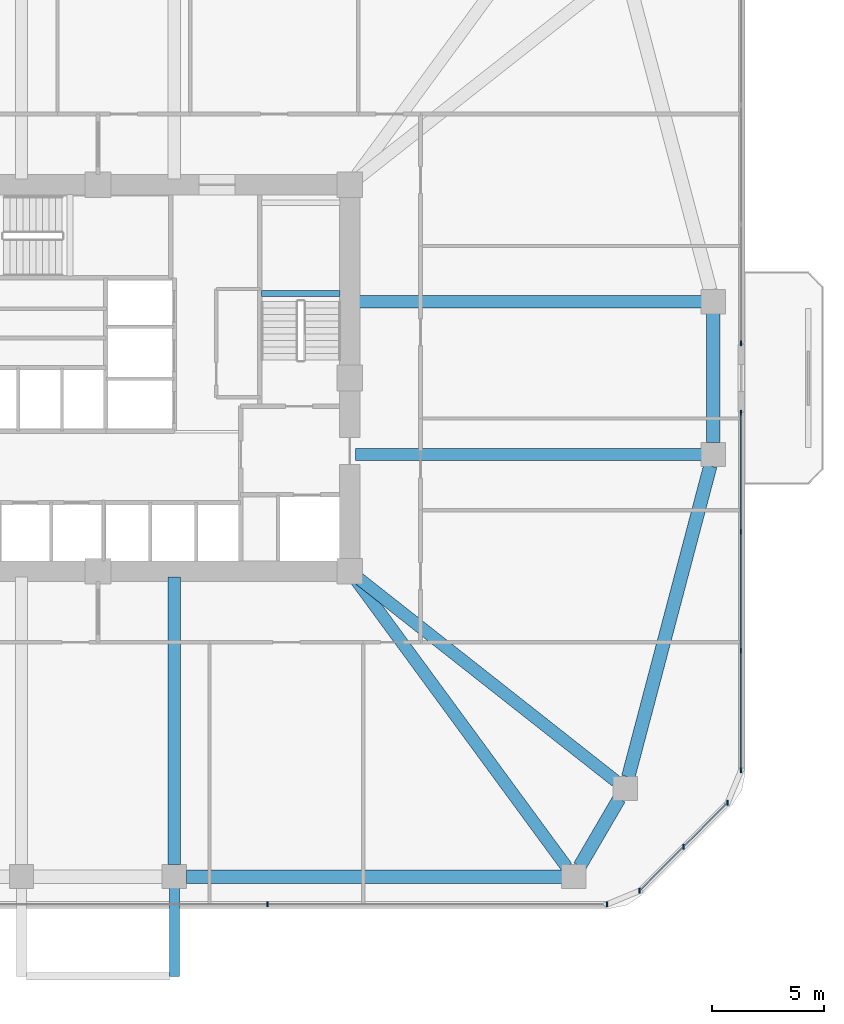
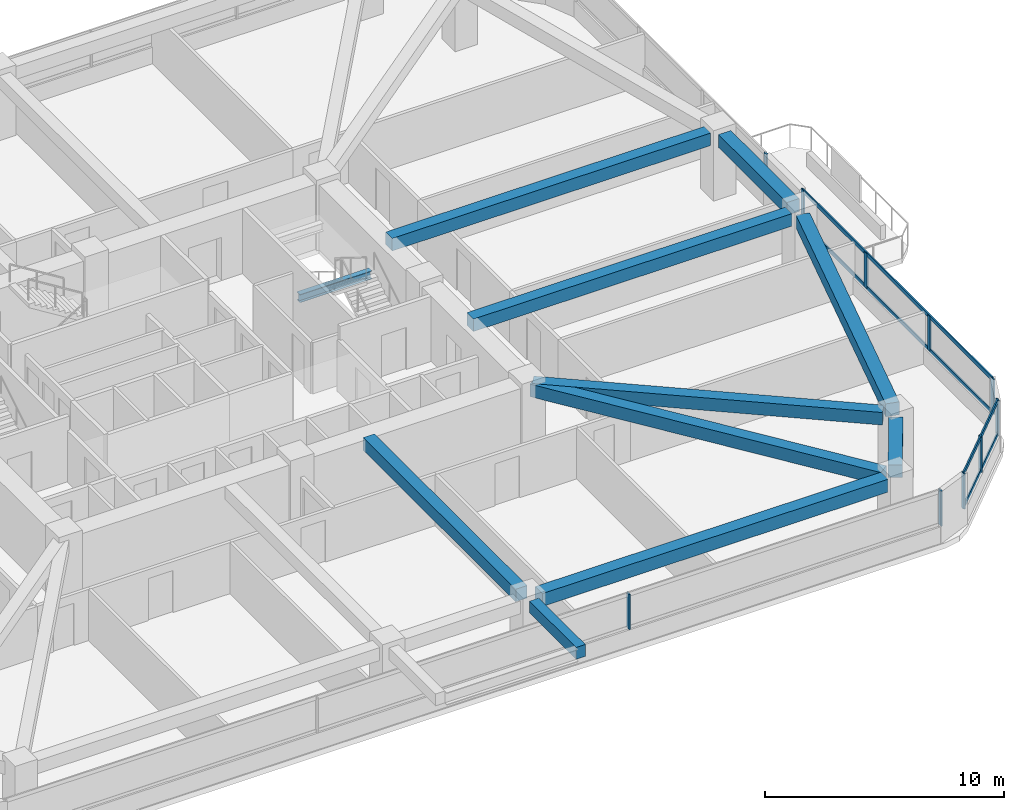
# One storey, part 5 of 14: 14 members, 11 beams, 4 elements without a shape of their own.
"""IFC4 building model written with IfcOpenShell, lengths in metres."""

import ifcopenshell
import ifcopenshell.guid

model = None  # the IFC model being written
_history = None  # IfcOwnerHistory: only IFC2X3 demands one
_inside = {}  # id of a spatial element -> (the spatial element, [elements in it])
_under = {}  # id of a project, library or spatial element -> (it, [spatial elements below it])
_declared = {}  # id of a project -> (the project, [libraries it declares])
_typed = {}  # id of a type object -> (the type object, [elements of that type])
_made_of = {}  # id of a material, layer set ... -> (it, [elements and type objects made of it])


def new_model(schema):
    """Start an empty IFC model of exactly this schema.

    Asked for "IFC4X3", IfcOpenShell would pick the latest addendum, in which some entities
    have other attributes; the version numbers below select the first issue.
    IFC2X3 requires an IfcOwnerHistory on every rooted entity: one is made here for all.
    """
    global model, _history
    if schema == "IFC4X3":
        model = ifcopenshell.file(schema_version=(4, 3, 0, 0))
    else:
        model = ifcopenshell.file(schema=schema)
    _inside.clear()
    _under.clear()
    _declared.clear()
    _typed.clear()
    _made_of.clear()
    _history = None
    if model.schema == "IFC2X3":
        org = make("IfcOrganization", Name="unknown")
        user = make(
            "IfcPersonAndOrganization",
            ThePerson=make("IfcPerson", FamilyName="unknown"),
            TheOrganization=org,
        )
        app = make(
            "IfcApplication",
            ApplicationDeveloper=org,
            Version="unknown",
            ApplicationFullName="unknown",
            ApplicationIdentifier="unknown",
        )
        _history = make(
            "IfcOwnerHistory",
            OwningUser=user,
            OwningApplication=app,
            ChangeAction="ADDED",
            CreationDate=0,
        )
    return model


def make(cls, **values):
    """One entity of the class cls with the attributes given. An attribute that is None is left unset."""
    return model.create_entity(
        cls, **{name: value for name, value in values.items() if value is not None}
    )


def rooted(cls, **values):
    """An entity with a GlobalId (a new one), such as an element, a storey or a relation."""
    return make(cls, GlobalId=ifcopenshell.guid.new(), OwnerHistory=_history, **values)


def si_unit(unit_type, name, prefix=None):
    """IfcSIUnit, for example si_unit("LENGTHUNIT", "METRE", prefix="MILLI")."""
    return make("IfcSIUnit", UnitType=unit_type, Prefix=prefix, Name=name)


def derived_unit(unit_type, elements):
    """IfcDerivedUnit: a product of units, each with its exponent."""
    return make(
        "IfcDerivedUnit",
        Elements=[
            make("IfcDerivedUnitElement", Unit=unit, Exponent=power)
            for unit, power in elements
        ],
        UnitType=unit_type,
    )


def assignment(units):
    """IfcUnitAssignment: the units of a project."""
    return None if units is None else make("IfcUnitAssignment", Units=units)


def point(xyz):
    """IfcCartesianPoint."""
    return None if xyz is None else make("IfcCartesianPoint", Coordinates=xyz)


def direction(xyz):
    """IfcDirection."""
    return None if xyz is None else make("IfcDirection", DirectionRatios=xyz)


def frame(location, z_axis=None, x_axis=None):
    """IfcAxis2Placement3D, a coordinate frame: its origin and axes. An axis left out is left unset."""
    return make(
        "IfcAxis2Placement3D",
        Location=point(location),
        Axis=direction(z_axis),
        RefDirection=direction(x_axis),
    )


def frame_2d(location, x_axis=None):
    """IfcAxis2Placement2D, a coordinate frame in the plane: its origin and x axis."""
    return make(
        "IfcAxis2Placement2D", Location=point(location), RefDirection=direction(x_axis)
    )


def origin():
    """The frame at (0, 0, 0) with its axes left unset."""
    return frame((0.0, 0.0, 0.0))


def origin_2d():
    """The frame at (0, 0) in the plane with its x axis left unset."""
    return frame_2d((0.0, 0.0))


def place(relative_to, where):
    """IfcLocalPlacement: puts the frame where relative to a parent placement (None: the world)."""
    return make(
        "IfcLocalPlacement", PlacementRelTo=relative_to, RelativePlacement=where
    )


def context(
    kind, dimensions, precision=None, world=None, true_north=None, identifier=None
):
    """IfcGeometricRepresentationContext, for example the 3D "Model" context."""
    return make(
        "IfcGeometricRepresentationContext",
        ContextIdentifier=identifier,
        ContextType=kind,
        CoordinateSpaceDimension=dimensions,
        Precision=precision,
        WorldCoordinateSystem=world,
        TrueNorth=true_north,
    )


def subcontext(parent, identifier, kind, view, scale=None):
    """IfcGeometricRepresentationSubContext, for example "Body" below "Model"."""
    return make(
        "IfcGeometricRepresentationSubContext",
        ContextIdentifier=identifier,
        ContextType=kind,
        ParentContext=parent,
        TargetScale=scale,
        TargetView=view,
    )


def project(units=None, contexts=None):
    """IfcProject with its units and contexts."""
    return rooted(
        "IfcProject",
        Name="project",
        RepresentationContexts=contexts,
        UnitsInContext=assignment(units),
    )


def spatial(cls, under=None, at=None, **own):
    """A site, building, storey or space (cls), placed at a placement, below another one or the project."""
    s = rooted(cls, ObjectPlacement=at, **own)
    if under is not None:
        _under.setdefault(under.id(), (under, []))[1].append(s)
    return s


def profile(cls, at=None, kind="AREA", **sizes):
    """A parametric profile (cls). Its sizes go by their IFC names, for example OverallWidth=200.0."""
    return make(cls, ProfileType=kind, Position=at, **sizes)


def rectangle(**sizes):
    """IfcRectangleProfileDef."""
    return profile("IfcRectangleProfileDef", **sizes)


def i_section(**sizes):
    """IfcIShapeProfileDef."""
    return profile("IfcIShapeProfileDef", **sizes)


def extrude(swept, where, along, depth):
    """IfcExtrudedAreaSolid: the profile swept, set in the frame where, extruded along a direction by depth."""
    return make(
        "IfcExtrudedAreaSolid",
        SweptArea=swept,
        Position=where,
        ExtrudedDirection=direction(along),
        Depth=depth,
    )


def shape(context_of_items, identifier, shape_type, items):
    """IfcShapeRepresentation: the items that make up one representation, for example the "Body"."""
    return make(
        "IfcShapeRepresentation",
        ContextOfItems=context_of_items,
        RepresentationIdentifier=identifier,
        RepresentationType=shape_type,
        Items=items,
    )


def material(Name=None, Category=None):
    """IfcMaterial."""
    return make("IfcMaterial", Name=Name, Category=Category)


def material_profile(
    of_material, cross_section, Name=None, Category=None, Priority=None
):
    """IfcMaterialProfile: a cross section and its material."""
    return make(
        "IfcMaterialProfile",
        Name=Name,
        Material=of_material,
        Profile=cross_section,
        Priority=Priority,
        Category=Category,
    )


def profile_set(profiles, Name=None, composite=None):
    """IfcMaterialProfileSet."""
    return make(
        "IfcMaterialProfileSet",
        Name=Name,
        MaterialProfiles=profiles,
        CompositeProfile=composite,
    )


def made_of(thing, what):
    """Note that an element or type object is made of a material, layer set ...; save() writes the relation."""
    if what is not None:
        _made_of.setdefault(what.id(), (what, []))[1].append(thing)
    return thing


def type_object(cls, material=None, **own):
    """A type object (cls), such as IfcWallType, which elements share."""
    return made_of(rooted(cls, **own), material)


def element(
    cls,
    number,
    at=None,
    inside=None,
    cuts=None,
    type_object=None,
    material=None,
    context=None,
    identifier="Body",
    shape_type=None,
    held_by="IfcProductDefinitionShape",
    body=None,
    shapes=None,
    **own,
):
    """One element of the class cls, such as IfcWall. Its Tag is "e" and its number.

    at: its placement. inside: the storey or other place that contains it. cuts: it is an
    opening in that element (IfcRelVoidsElement). A single representation is given by context,
    identifier, shape_type and body (its items); several are given by shapes. held_by: the class
    of the entity that holds the representations. save() writes the other relations.
    """
    e = rooted(cls, Tag="e%d" % number, ObjectPlacement=at, **own)
    if body is not None:
        shapes = [shape(context, identifier, shape_type, body)]
    if shapes is not None:
        e.Representation = make(held_by, Representations=shapes)
    if inside is not None:
        _inside.setdefault(inside.id(), (inside, []))[1].append(e)
    if cuts is not None:
        rooted(
            "IfcRelVoidsElement", RelatingBuildingElement=cuts, RelatedOpeningElement=e
        )
    if type_object is not None:
        _typed.setdefault(type_object.id(), (type_object, []))[1].append(e)
    return made_of(e, material)


def aggregate(whole, parts):
    """IfcRelAggregates: a whole, such as a stair, and the parts it consists of."""
    return rooted("IfcRelAggregates", RelatingObject=whole, RelatedObjects=parts)


def save(model, path):
    """Write the relations noted so far, then the file.

    IfcRelAggregates (storeys below a building ...), IfcRelContainedInSpatialStructure (elements
    in a storey), IfcRelDefinesByType, IfcRelAssociatesMaterial and IfcRelDeclares: one each for
    every whole, place, type object, material and project.
    """
    for whole, parts in _under.values():
        aggregate(whole, parts)
    for where, things in _inside.values():
        rooted(
            "IfcRelContainedInSpatialStructure",
            RelatedElements=things,
            RelatingStructure=where,
        )
    for kind, things in _typed.values():
        rooted("IfcRelDefinesByType", RelatedObjects=things, RelatingType=kind)
    for what, things in _made_of.values():
        rooted("IfcRelAssociatesMaterial", RelatedObjects=things, RelatingMaterial=what)
    for by, libraries in _declared.values():
        rooted("IfcRelDeclares", RelatingContext=by, RelatedDefinitions=libraries)
    model.write(path)


model = new_model("IFC4")

# Units and contexts
model_context = context("Model", 3, precision=1e-05, world=origin(), true_north=direction((0.0, 1.0)))
body_context = subcontext(model_context, "Body", "Model", "MODEL_VIEW")
ifc_project = project(units=[si_unit("LENGTHUNIT", "METRE"), si_unit("AREAUNIT", "SQUARE_METRE"), si_unit("VOLUMEUNIT", "CUBIC_METRE"), si_unit("PLANEANGLEUNIT", "RADIAN"), si_unit("MASSUNIT", "GRAM", prefix="KILO"), derived_unit("THERMALTRANSMITTANCEUNIT", [(si_unit("POWERUNIT", "WATT"), 1), (si_unit("LENGTHUNIT", "METRE"), -2), (si_unit("THERMODYNAMICTEMPERATUREUNIT", "KELVIN"), -1)])], contexts=[model_context])

# Site, building, storey
site_placement = place(None, origin())
site = spatial("IfcSite", under=ifc_project, at=site_placement, CompositionType="ELEMENT")
building_placement = place(site_placement, origin())
building = spatial("IfcBuilding", under=site, at=building_placement, Name="Koralith Skygarden Medical Center", CompositionType="ELEMENT")
storey_placement = place(building_placement, frame((0.0, 0.0, 45.5400390625)))
storey = spatial("IfcBuildingStorey", under=building, at=storey_placement, Name="L11", CompositionType="ELEMENT", Elevation=45.5400390625)

# Curtain wall, members
ifc_material_1 = material(Name="Clear Laminated Glass", Category="glass")
curtain_wall_type = type_object("IfcCurtainWallType", Name="CW-2 Zone 1 Hurricane Unitised Curtain Wall", PredefinedType="NOTDEFINED", material=ifc_material_1)
curtain_wall_1_placement = place(storey_placement, origin())
curtain_wall_1 = element("IfcCurtainWall", 1, at=curtain_wall_1_placement, inside=storey, type_object=curtain_wall_type, Name="Curtain Wall CW-L11-S", PredefinedType="NOTDEFINED")
ifc_material_2 = material(Name="Aluminium 6063-T6", Category="aluminium")
ifc_material_profile_1 = material_profile(ifc_material_2, rectangle(XDim=0.071044921875, YDim=0.219970703125, at=origin_2d()), Name="MUL71X220")
ifc_profile_set_1 = profile_set([ifc_material_profile_1], Name="Aluminium 6063-T6")
member_type_1 = type_object("IfcMemberType", Name="CW-2 Extruded Mullion 71x220", PredefinedType="MULLION", material=ifc_profile_set_1)
member_1_placement = place(storey_placement, frame((44.548095703125, 2.47998046875, 0.849853515625), z_axis=(0.0, 0.0, 1.0), x_axis=(1.0, 0.0, 0.0)))
member_1 = element("IfcMember", 2, at=member_1_placement, type_object=member_type_1, Name="CW-L11-S Mullion 3", PredefinedType="MULLION", context=body_context, shape_type="SweptSolid", body=[
    extrude(rectangle(XDim=0.071044921875, YDim=0.219970703125, at=origin_2d()), origin(), (0.0, 0.0, 1.0), 1.800048828125),
])
member_2_placement = place(storey_placement, frame((59.64501953125, 2.47998046875, 0.849853515625), z_axis=(0.0, 0.0, 1.0), x_axis=(1.0, 0.0, 0.0)))
member_2 = element("IfcMember", 3, at=member_2_placement, type_object=member_type_1, Name="CW-L11-S Mullion 4", PredefinedType="MULLION", context=body_context, shape_type="SweptSolid", body=[
    extrude(rectangle(XDim=0.071044921875, YDim=0.219970703125, at=origin_2d()), origin(), (0.0, 0.0, 1.0), 1.800048828125),
])
aggregate(curtain_wall_1, [member_1, member_2])

curtain_wall_2_placement = place(storey_placement, origin())
curtain_wall_2 = element("IfcCurtainWall", 4, at=curtain_wall_2_placement, inside=storey, type_object=curtain_wall_type, Name="Curtain Wall CW-L11-SE", PredefinedType="NOTDEFINED")
member_3_placement = place(storey_placement, frame((61.095947265625, 3.0810546875, 0.849853515625), z_axis=(0.0, 0.0, 1.0), x_axis=(1.0, 0.0, 0.0)))
member_3 = element("IfcMember", 5, at=member_3_placement, type_object=member_type_1, Name="CW-L11-SE Mullion 1", PredefinedType="MULLION", context=body_context, shape_type="SweptSolid", body=[
    extrude(rectangle(XDim=0.071044921875, YDim=0.219970703125, at=origin_2d()), origin(), (0.0, 0.0, 1.0), 1.800048828125),
])
member_4_placement = place(storey_placement, frame((63.056884765625, 5.0419921875, 0.849853515625), z_axis=(0.0, 0.0, 1.0), x_axis=(1.0, 0.0, 0.0)))
member_4 = element("IfcMember", 6, at=member_4_placement, type_object=member_type_1, Name="CW-L11-SE Mullion 2", PredefinedType="MULLION", context=body_context, shape_type="SweptSolid", body=[
    extrude(rectangle(XDim=0.071044921875, YDim=0.219970703125, at=origin_2d()), origin(), (0.0, 0.0, 1.0), 1.800048828125),
])
member_5_placement = place(storey_placement, frame((65.01904296875, 7.00390625, 0.849853515625), z_axis=(0.0, 0.0, 1.0), x_axis=(1.0, 0.0, 0.0)))
member_5 = element("IfcMember", 7, at=member_5_placement, type_object=member_type_1, Name="CW-L11-SE Mullion 3", PredefinedType="MULLION", context=body_context, shape_type="SweptSolid", body=[
    extrude(rectangle(XDim=0.071044921875, YDim=0.219970703125, at=origin_2d()), origin(), (0.0, 0.0, 1.0), 1.800048828125),
])

curtain_wall_3_placement = place(storey_placement, origin())
curtain_wall_3 = element("IfcCurtainWall", 8, at=curtain_wall_3_placement, inside=storey, type_object=curtain_wall_type, Name="Curtain Wall CW-L11-E-L", PredefinedType="NOTDEFINED")
member_6_placement = place(storey_placement, frame((65.6201171875, 8.455078125, 0.849853515625), z_axis=(0.0, 0.0, 1.0), x_axis=(1.0, 0.0, 0.0)))
member_6 = element("IfcMember", 9, at=member_6_placement, type_object=member_type_1, Name="CW-L11-E-L Mullion 1", PredefinedType="MULLION", context=body_context, shape_type="SweptSolid", body=[
    extrude(rectangle(XDim=0.071044921875, YDim=0.219970703125, at=origin_2d()), origin(), (0.0, 0.0, 1.0), 1.800048828125),
])
member_7_placement = place(storey_placement, frame((65.6201171875, 13.757080078125, 0.849853515625), z_axis=(0.0, 0.0, 1.0), x_axis=(1.0, 0.0, 0.0)))
member_7 = element("IfcMember", 10, at=member_7_placement, type_object=member_type_1, Name="CW-L11-E-L Mullion 2", PredefinedType="MULLION", context=body_context, shape_type="SweptSolid", body=[
    extrude(rectangle(XDim=0.071044921875, YDim=0.219970703125, at=origin_2d()), origin(), (0.0, 0.0, 1.0), 1.800048828125),
])
member_8_placement = place(storey_placement, frame((65.6201171875, 19.05810546875, 0.849853515625), z_axis=(0.0, 0.0, 1.0), x_axis=(1.0, 0.0, 0.0)))
member_8 = element("IfcMember", 11, at=member_8_placement, type_object=member_type_1, Name="CW-L11-E-L Mullion 3", PredefinedType="MULLION", context=body_context, shape_type="SweptSolid", body=[
    extrude(rectangle(XDim=0.071044921875, YDim=0.219970703125, at=origin_2d()), origin(), (0.0, 0.0, 1.0), 1.800048828125),
])
member_9_placement = place(storey_placement, frame((65.6201171875, 24.360107421875, 0.849853515625), z_axis=(0.0, 0.0, 1.0), x_axis=(1.0, 0.0, 0.0)))
member_9 = element("IfcMember", 12, at=member_9_placement, type_object=member_type_1, Name="CW-L11-E-L Mullion 4", PredefinedType="MULLION", context=body_context, shape_type="SweptSolid", body=[
    extrude(rectangle(XDim=0.071044921875, YDim=0.219970703125, at=origin_2d()), origin(), (0.0, 0.0, 1.0), 1.800048828125),
])

# Curtain wall, member
curtain_wall_4_placement = place(storey_placement, origin())
curtain_wall_4 = element("IfcCurtainWall", 13, at=curtain_wall_4_placement, inside=storey, type_object=curtain_wall_type, Name="Curtain Wall CW-L11-E-R", PredefinedType="NOTDEFINED")
member_10_placement = place(storey_placement, frame((65.6201171875, 27.43994140625, 0.849853515625), z_axis=(0.0, 0.0, 1.0), x_axis=(1.0, 0.0, 0.0)))
member_10 = element("IfcMember", 14, at=member_10_placement, type_object=member_type_1, Name="CW-L11-E-R Mullion 1", PredefinedType="MULLION", context=body_context, shape_type="SweptSolid", body=[
    extrude(rectangle(XDim=0.071044921875, YDim=0.219970703125, at=origin_2d()), origin(), (0.0, 0.0, 1.0), 1.800048828125),
])
aggregate(curtain_wall_4, [member_10])

# Member
ifc_material_profile_2 = material_profile(ifc_material_2, rectangle(XDim=0.06591796875, YDim=0.197998046875, at=origin_2d()), Name="TRN66X198")
ifc_profile_set_2 = profile_set([ifc_material_profile_2], Name="Aluminium 6063-T6")
member_type_2 = type_object("IfcMemberType", Name="CW-2 Thermal Transom 66x198", PredefinedType="USERDEFINED", material=ifc_profile_set_2)
member_11_placement = place(storey_placement, frame((61.095947265625, 3.0810546875, 0.89990234375), z_axis=(0.707128783731, 0.707084777957, 0.0), x_axis=(-0.707084777957, 0.707128783731, 0.0)))
member_11 = element("IfcMember", 15, at=member_11_placement, type_object=member_type_2, Name="CW-L11-SE Transom 1", ObjectType="TRANSOM", PredefinedType="USERDEFINED", context=body_context, shape_type="SweptSolid", body=[
    extrude(rectangle(XDim=0.06591796875, YDim=0.197998046875, at=origin_2d()), origin(), (0.0, 0.0, 1.0), 5.5478515625),
])

member_12_placement = place(storey_placement, frame((61.095947265625, 3.0810546875, 2.599853515625), z_axis=(0.707128783731, 0.707084777957, 0.0), x_axis=(-0.707084777957, 0.707128783731, 0.0)))
member_12 = element("IfcMember", 16, at=member_12_placement, type_object=member_type_2, Name="CW-L11-SE Transom 2", ObjectType="TRANSOM", PredefinedType="USERDEFINED", context=body_context, shape_type="SweptSolid", body=[
    extrude(rectangle(XDim=0.06591796875, YDim=0.197998046875, at=origin_2d()), origin(), (0.0, 0.0, 1.0), 5.5478515625),
])

aggregate(curtain_wall_2, [member_3, member_4, member_5, member_11, member_12])

member_13_placement = place(storey_placement, frame((65.6201171875, 8.455078125, 0.89990234375), z_axis=(0.0, 1.0, 0.0), x_axis=(-1.0, 0.0, 0.0)))
member_13 = element("IfcMember", 17, at=member_13_placement, type_object=member_type_2, Name="CW-L11-E-L Transom 1", ObjectType="TRANSOM", PredefinedType="USERDEFINED", context=body_context, shape_type="SweptSolid", body=[
    extrude(rectangle(XDim=0.06591796875, YDim=0.197998046875, at=origin_2d()), origin(), (0.0, 0.0, 1.0), 15.905029296875),
])

member_14_placement = place(storey_placement, frame((65.6201171875, 8.455078125, 2.599853515625), z_axis=(0.0, 1.0, 0.0), x_axis=(-1.0, 0.0, 0.0)))
member_14 = element("IfcMember", 18, at=member_14_placement, type_object=member_type_2, Name="CW-L11-E-L Transom 2", ObjectType="TRANSOM", PredefinedType="USERDEFINED", context=body_context, shape_type="SweptSolid", body=[
    extrude(rectangle(XDim=0.06591796875, YDim=0.197998046875, at=origin_2d()), origin(), (0.0, 0.0, 1.0), 15.905029296875),
])

aggregate(curtain_wall_3, [member_6, member_7, member_8, member_9, member_13, member_14])

# Beams
ifc_material_3 = material(Name="Steel ASTM A992 Grade 50", Category="steel")
ifc_material_profile_3 = material_profile(ifc_material_3, i_section(OverallWidth=0.260009765625, OverallDepth=0.4150390625, WebThickness=0.010009765625, FlangeThickness=0.016845703125, at=origin_2d()), Name="W16X67")
ifc_profile_set_3 = profile_set([ifc_material_profile_3], Name="Steel ASTM A992 Grade 50")
beam_type_1 = type_object("IfcBeamType", Name="Clinical Floor Joist W16X67", PredefinedType="JOIST", material=ifc_profile_set_3)
beam_1_placement = place(storey_placement, frame((44.280029296875, 29.659912109375, 1.391845703125), z_axis=(1.0, 0.0, 0.0), x_axis=(0.0, 1.0, 0.0)))
element("IfcBeam", 19, at=beam_1_placement, inside=storey, type_object=beam_type_1, Name="L11 Stair ST2 Half-Landing Support Beam 1A", PredefinedType="JOIST", context=body_context, shape_type="SweptSolid", body=[
    extrude(i_section(OverallWidth=0.260009765625, OverallDepth=0.4150390625, WebThickness=0.010009765625, FlangeThickness=0.016845703125, at=origin_2d()), origin(), (0.0, 0.0, 1.0), 3.489990234375),
])
ifc_material_4 = material(Name="Concrete C45/55", Category="concrete")
ifc_material_profile_4 = material_profile(ifc_material_4, rectangle(XDim=0.449951171875, YDim=0.60009765625, at=origin_2d()), Name="RCB450X600")
ifc_profile_set_4 = profile_set([ifc_material_profile_4], Name="Concrete C45/55")
beam_type_2 = type_object("IfcBeamType", Name="Planted Balcony Cantilever Beam RCB450X600", PredefinedType="BEAM", material=ifc_profile_set_4)
beam_2_placement = place(storey_placement, frame((40.39990234375, 3.199951171875, 3.0400390625), z_axis=(0.0, -1.0, 0.0), x_axis=(1.0, 0.0, 0.0)))
element("IfcBeam", 20, at=beam_2_placement, inside=storey, type_object=beam_type_2, Name="L12 S Balcony Cantilever Beam B", PredefinedType="BEAM", context=body_context, shape_type="SweptSolid", body=[
    extrude(rectangle(XDim=0.449951171875, YDim=0.60009765625, at=origin_2d()), origin(), (0.0, 0.0, 1.0), 3.919921875),
])
ifc_material_profile_5 = material_profile(ifc_material_4, rectangle(XDim=0.550048828125, YDim=0.639892578125, at=origin_2d()), Name="RCB550X640")
ifc_profile_set_5 = profile_set([ifc_material_profile_5], Name="Concrete C45/55")
beam_type_3 = type_object("IfcBeamType", Name="Radial Collector Beam RCB550X640", PredefinedType="BEAM", material=ifc_profile_set_5)
beam_3_placement = place(storey_placement, frame((40.39990234375, 17.050048828125, 3.0), z_axis=(0.0, -1.0, 0.0), x_axis=(1.0, 0.0, 0.0)))
element("IfcBeam", 21, at=beam_3_placement, inside=storey, type_object=beam_type_3, Name="L11 Radial Collector Beam RB-05", PredefinedType="BEAM", context=body_context, shape_type="SweptSolid", body=[
    extrude(rectangle(XDim=0.550048828125, YDim=0.639892578125, at=origin_2d()), origin(), (0.0, 0.0, 1.0), 12.800048828125),
])
beam_4_placement = place(storey_placement, frame((48.347900390625, 17.097900390625, 3.0), z_axis=(0.591718052249, -0.806144991079, 0.0), x_axis=(0.806144991079, 0.591718052249, 0.0)))
element("IfcBeam", 22, at=beam_4_placement, inside=storey, type_object=beam_type_3, Name="L11 Radial Collector Beam RB-06", PredefinedType="BEAM", context=body_context, shape_type="SweptSolid", body=[
    extrude(rectangle(XDim=0.550048828125, YDim=0.639892578125, at=origin_2d()), origin(), (0.0, 0.0, 1.0), 16.065185546875),
])
beam_5_placement = place(storey_placement, frame((48.39599609375, 17.14501953125, 3.0), z_axis=(0.785497250365, -0.618865146594, 0.0), x_axis=(0.618865146594, 0.785497250365, 0.0)))
element("IfcBeam", 23, at=beam_5_placement, inside=storey, type_object=beam_type_3, Name="L11 Radial Collector Beam RB-07", PredefinedType="BEAM", context=body_context, shape_type="SweptSolid", body=[
    extrude(rectangle(XDim=0.550048828125, YDim=0.639892578125, at=origin_2d()), origin(), (0.0, 0.0, 1.0), 14.828857421875),
])
for number, where, z_axis, x_axis, name in (
    (24, (48.449951171875, 22.5, 3.0), (1.0, 0.0, 0.0), (0.0, 1.0, 0.0), "L11 Radial Collector Beam RB-08"),
    (25, (48.449951171875, 29.300048828125, 3.0), (1.0, 0.0, 0.0), (0.0, 1.0, 0.0), "L11 Radial Collector Beam RB-09"),
):
    element("IfcBeam", number, at=place(storey_placement, frame(where, z_axis=z_axis, x_axis=x_axis)), inside=storey, type_object=beam_type_3, Name=name, PredefinedType="BEAM", context=body_context, shape_type="SweptSolid", body=[
        extrude(rectangle(XDim=0.550048828125, YDim=0.639892578125, at=origin_2d()), origin(), (0.0, 0.0, 1.0), 15.400146484375),
    ])
ifc_material_profile_6 = material_profile(ifc_material_4, rectangle(XDim=0.60009765625, YDim=0.659912109375, at=origin_2d()), Name="RCB600X660")
ifc_profile_set_6 = profile_set([ifc_material_profile_6], Name="Concrete C45/55")
beam_type_4 = type_object("IfcBeamType", Name="Zone 1 Spandrel Beam RCB600X660", PredefinedType="SPANDREL", material=ifc_profile_set_6)
beam_6_placement = place(storey_placement, frame((40.929931640625, 3.719970703125, 2.989990234375), z_axis=(1.0, 0.0, 0.0), x_axis=(0.0, 1.0, 0.0)))
element("IfcBeam", 26, at=beam_6_placement, inside=storey, type_object=beam_type_4, Name="L11 Perimeter Spandrel Beam SP-05", PredefinedType="SPANDREL", context=body_context, shape_type="SweptSolid", body=[
    extrude(rectangle(XDim=0.60009765625, YDim=0.659912109375, at=origin_2d()), origin(), (0.0, 0.0, 1.0), 16.7080078125),
])
beam_7_placement = place(storey_placement, frame((58.43603515625, 4.177978515625, 2.989990234375), z_axis=(0.504638660636, 0.863330656349, 0.0), x_axis=(-0.863330656349, 0.504638660636, 0.0)))
element("IfcBeam", 27, at=beam_7_placement, inside=storey, type_object=beam_type_4, Name="L11 Perimeter Spandrel Beam SP-06", PredefinedType="SPANDREL", context=body_context, shape_type="SweptSolid", body=[
    extrude(rectangle(XDim=0.60009765625, YDim=0.659912109375, at=origin_2d()), origin(), (0.0, 0.0, 1.0), 3.4794921875),
])
beam_8_placement = place(storey_placement, frame((60.594970703125, 8.152099609375, 2.989990234375), z_axis=(0.255088684842, 0.966917660851, 0.0), x_axis=(-0.966917660851, 0.255088684842, 0.0)))
element("IfcBeam", 28, at=beam_8_placement, inside=storey, type_object=beam_type_4, Name="L11 Perimeter Spandrel Beam SP-07", PredefinedType="SPANDREL", context=body_context, shape_type="SweptSolid", body=[
    extrude(rectangle(XDim=0.60009765625, YDim=0.659912109375, at=origin_2d()), origin(), (0.0, 0.0, 1.0), 14.309326171875),
])
beam_9_placement = place(storey_placement, frame((64.3798828125, 23.030029296875, 2.989990234375), z_axis=(0.0, 1.0, 0.0), x_axis=(-1.0, 0.0, 0.0)))
element("IfcBeam", 29, at=beam_9_placement, inside=storey, type_object=beam_type_4, Name="L11 Perimeter Spandrel Beam SP-08", PredefinedType="SPANDREL", context=body_context, shape_type="SweptSolid", body=[
    extrude(rectangle(XDim=0.60009765625, YDim=0.659912109375, at=origin_2d()), origin(), (0.0, 0.0, 1.0), 5.739990234375),
])

save(model, "model.ifc")
